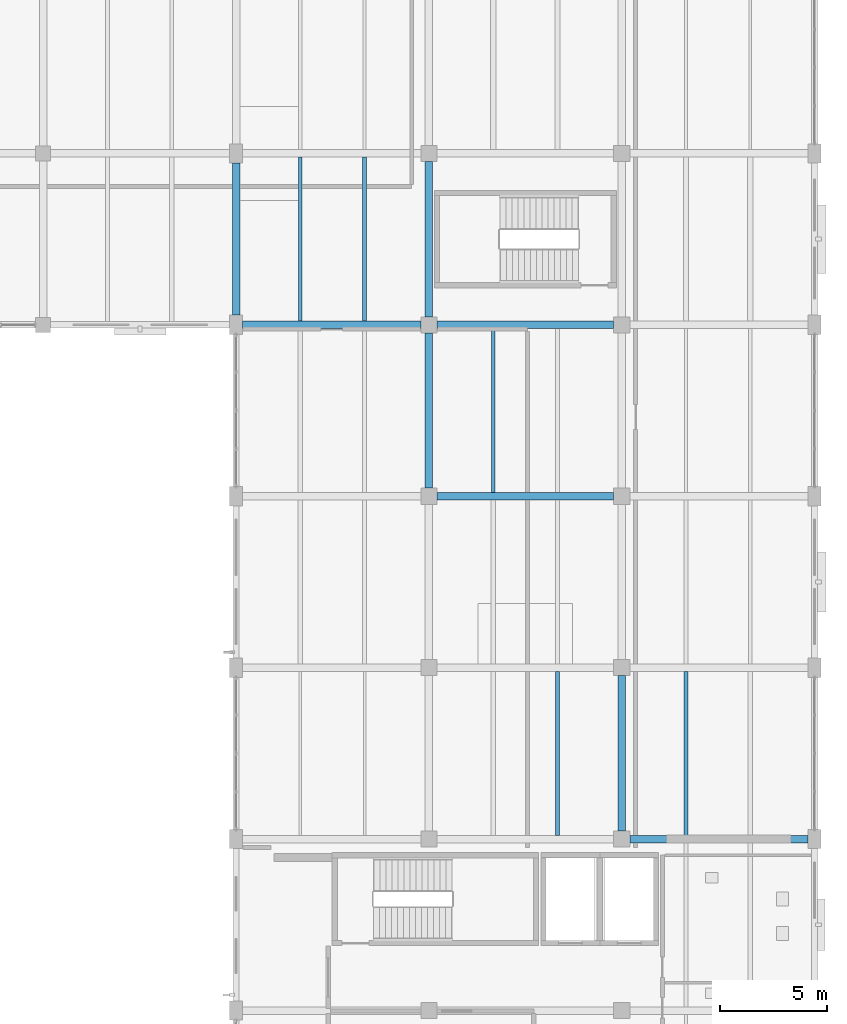
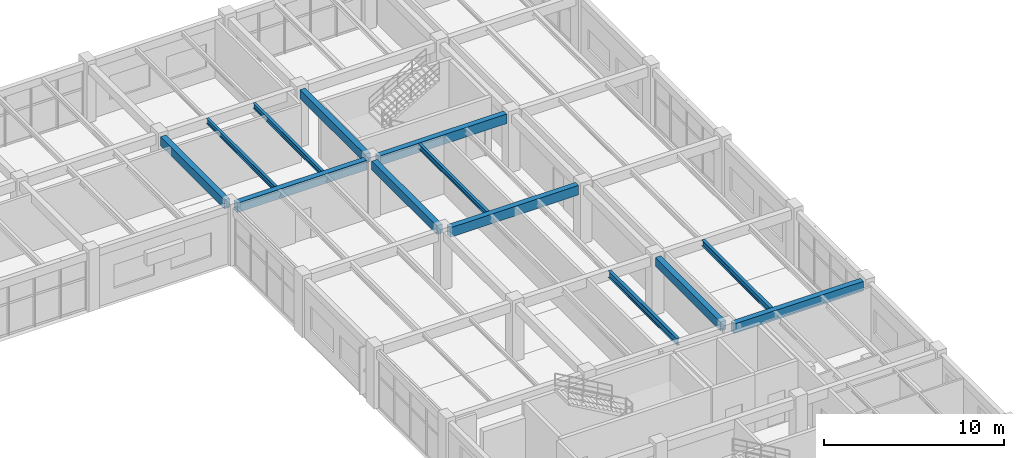
# One storey, part 88 of 128: 13 beams.
"""IFC4 building model written with IfcOpenShell, lengths in metres."""

import ifcopenshell
import ifcopenshell.guid

model = None  # the IFC model being written
_history = None  # IfcOwnerHistory: only IFC2X3 demands one
_inside = {}  # id of a spatial element -> (the spatial element, [elements in it])
_under = {}  # id of a project, library or spatial element -> (it, [spatial elements below it])
_declared = {}  # id of a project -> (the project, [libraries it declares])
_typed = {}  # id of a type object -> (the type object, [elements of that type])
_made_of = {}  # id of a material, layer set ... -> (it, [elements and type objects made of it])


def new_model(schema):
    """Start an empty IFC model of exactly this schema.

    Asked for "IFC4X3", IfcOpenShell would pick the latest addendum, in which some entities
    have other attributes; the version numbers below select the first issue.
    IFC2X3 requires an IfcOwnerHistory on every rooted entity: one is made here for all.
    """
    global model, _history
    if schema == "IFC4X3":
        model = ifcopenshell.file(schema_version=(4, 3, 0, 0))
    else:
        model = ifcopenshell.file(schema=schema)
    _inside.clear()
    _under.clear()
    _declared.clear()
    _typed.clear()
    _made_of.clear()
    _history = None
    if model.schema == "IFC2X3":
        org = make("IfcOrganization", Name="unknown")
        user = make(
            "IfcPersonAndOrganization",
            ThePerson=make("IfcPerson", FamilyName="unknown"),
            TheOrganization=org,
        )
        app = make(
            "IfcApplication",
            ApplicationDeveloper=org,
            Version="unknown",
            ApplicationFullName="unknown",
            ApplicationIdentifier="unknown",
        )
        _history = make(
            "IfcOwnerHistory",
            OwningUser=user,
            OwningApplication=app,
            ChangeAction="ADDED",
            CreationDate=0,
        )
    return model


def make(cls, **values):
    """One entity of the class cls with the attributes given. An attribute that is None is left unset."""
    return model.create_entity(
        cls, **{name: value for name, value in values.items() if value is not None}
    )


def rooted(cls, **values):
    """An entity with a GlobalId (a new one), such as an element, a storey or a relation."""
    return make(cls, GlobalId=ifcopenshell.guid.new(), OwnerHistory=_history, **values)


def si_unit(unit_type, name, prefix=None):
    """IfcSIUnit, for example si_unit("LENGTHUNIT", "METRE", prefix="MILLI")."""
    return make("IfcSIUnit", UnitType=unit_type, Prefix=prefix, Name=name)


def derived_unit(unit_type, elements):
    """IfcDerivedUnit: a product of units, each with its exponent."""
    return make(
        "IfcDerivedUnit",
        Elements=[
            make("IfcDerivedUnitElement", Unit=unit, Exponent=power)
            for unit, power in elements
        ],
        UnitType=unit_type,
    )


def assignment(units):
    """IfcUnitAssignment: the units of a project."""
    return None if units is None else make("IfcUnitAssignment", Units=units)


def point(xyz):
    """IfcCartesianPoint."""
    return None if xyz is None else make("IfcCartesianPoint", Coordinates=xyz)


def direction(xyz):
    """IfcDirection."""
    return None if xyz is None else make("IfcDirection", DirectionRatios=xyz)


def frame(location, z_axis=None, x_axis=None):
    """IfcAxis2Placement3D, a coordinate frame: its origin and axes. An axis left out is left unset."""
    return make(
        "IfcAxis2Placement3D",
        Location=point(location),
        Axis=direction(z_axis),
        RefDirection=direction(x_axis),
    )


def frame_2d(location, x_axis=None):
    """IfcAxis2Placement2D, a coordinate frame in the plane: its origin and x axis."""
    return make(
        "IfcAxis2Placement2D", Location=point(location), RefDirection=direction(x_axis)
    )


def origin():
    """The frame at (0, 0, 0) with its axes left unset."""
    return frame((0.0, 0.0, 0.0))


def origin_2d():
    """The frame at (0, 0) in the plane with its x axis left unset."""
    return frame_2d((0.0, 0.0))


def place(relative_to, where):
    """IfcLocalPlacement: puts the frame where relative to a parent placement (None: the world)."""
    return make(
        "IfcLocalPlacement", PlacementRelTo=relative_to, RelativePlacement=where
    )


def context(
    kind, dimensions, precision=None, world=None, true_north=None, identifier=None
):
    """IfcGeometricRepresentationContext, for example the 3D "Model" context."""
    return make(
        "IfcGeometricRepresentationContext",
        ContextIdentifier=identifier,
        ContextType=kind,
        CoordinateSpaceDimension=dimensions,
        Precision=precision,
        WorldCoordinateSystem=world,
        TrueNorth=true_north,
    )


def subcontext(parent, identifier, kind, view, scale=None):
    """IfcGeometricRepresentationSubContext, for example "Body" below "Model"."""
    return make(
        "IfcGeometricRepresentationSubContext",
        ContextIdentifier=identifier,
        ContextType=kind,
        ParentContext=parent,
        TargetScale=scale,
        TargetView=view,
    )


def project(units=None, contexts=None):
    """IfcProject with its units and contexts."""
    return rooted(
        "IfcProject",
        Name="project",
        RepresentationContexts=contexts,
        UnitsInContext=assignment(units),
    )


def spatial(cls, under=None, at=None, **own):
    """A site, building, storey or space (cls), placed at a placement, below another one or the project."""
    s = rooted(cls, ObjectPlacement=at, **own)
    if under is not None:
        _under.setdefault(under.id(), (under, []))[1].append(s)
    return s


def profile(cls, at=None, kind="AREA", **sizes):
    """A parametric profile (cls). Its sizes go by their IFC names, for example OverallWidth=200.0."""
    return make(cls, ProfileType=kind, Position=at, **sizes)


def rectangle(**sizes):
    """IfcRectangleProfileDef."""
    return profile("IfcRectangleProfileDef", **sizes)


def i_section(**sizes):
    """IfcIShapeProfileDef."""
    return profile("IfcIShapeProfileDef", **sizes)


def extrude(swept, where, along, depth):
    """IfcExtrudedAreaSolid: the profile swept, set in the frame where, extruded along a direction by depth."""
    return make(
        "IfcExtrudedAreaSolid",
        SweptArea=swept,
        Position=where,
        ExtrudedDirection=direction(along),
        Depth=depth,
    )


def shape(context_of_items, identifier, shape_type, items):
    """IfcShapeRepresentation: the items that make up one representation, for example the "Body"."""
    return make(
        "IfcShapeRepresentation",
        ContextOfItems=context_of_items,
        RepresentationIdentifier=identifier,
        RepresentationType=shape_type,
        Items=items,
    )


def material(Name=None, Category=None):
    """IfcMaterial."""
    return make("IfcMaterial", Name=Name, Category=Category)


def material_profile(
    of_material, cross_section, Name=None, Category=None, Priority=None
):
    """IfcMaterialProfile: a cross section and its material."""
    return make(
        "IfcMaterialProfile",
        Name=Name,
        Material=of_material,
        Profile=cross_section,
        Priority=Priority,
        Category=Category,
    )


def profile_set(profiles, Name=None, composite=None):
    """IfcMaterialProfileSet."""
    return make(
        "IfcMaterialProfileSet",
        Name=Name,
        MaterialProfiles=profiles,
        CompositeProfile=composite,
    )


def made_of(thing, what):
    """Note that an element or type object is made of a material, layer set ...; save() writes the relation."""
    if what is not None:
        _made_of.setdefault(what.id(), (what, []))[1].append(thing)
    return thing


def type_object(cls, material=None, **own):
    """A type object (cls), such as IfcWallType, which elements share."""
    return made_of(rooted(cls, **own), material)


def element(
    cls,
    number,
    at=None,
    inside=None,
    cuts=None,
    type_object=None,
    material=None,
    context=None,
    identifier="Body",
    shape_type=None,
    held_by="IfcProductDefinitionShape",
    body=None,
    shapes=None,
    **own,
):
    """One element of the class cls, such as IfcWall. Its Tag is "e" and its number.

    at: its placement. inside: the storey or other place that contains it. cuts: it is an
    opening in that element (IfcRelVoidsElement). A single representation is given by context,
    identifier, shape_type and body (its items); several are given by shapes. held_by: the class
    of the entity that holds the representations. save() writes the other relations.
    """
    e = rooted(cls, Tag="e%d" % number, ObjectPlacement=at, **own)
    if body is not None:
        shapes = [shape(context, identifier, shape_type, body)]
    if shapes is not None:
        e.Representation = make(held_by, Representations=shapes)
    if inside is not None:
        _inside.setdefault(inside.id(), (inside, []))[1].append(e)
    if cuts is not None:
        rooted(
            "IfcRelVoidsElement", RelatingBuildingElement=cuts, RelatedOpeningElement=e
        )
    if type_object is not None:
        _typed.setdefault(type_object.id(), (type_object, []))[1].append(e)
    return made_of(e, material)


def aggregate(whole, parts):
    """IfcRelAggregates: a whole, such as a stair, and the parts it consists of."""
    return rooted("IfcRelAggregates", RelatingObject=whole, RelatedObjects=parts)


def save(model, path):
    """Write the relations noted so far, then the file.

    IfcRelAggregates (storeys below a building ...), IfcRelContainedInSpatialStructure (elements
    in a storey), IfcRelDefinesByType, IfcRelAssociatesMaterial and IfcRelDeclares: one each for
    every whole, place, type object, material and project.
    """
    for whole, parts in _under.values():
        aggregate(whole, parts)
    for where, things in _inside.values():
        rooted(
            "IfcRelContainedInSpatialStructure",
            RelatedElements=things,
            RelatingStructure=where,
        )
    for kind, things in _typed.values():
        rooted("IfcRelDefinesByType", RelatedObjects=things, RelatingType=kind)
    for what, things in _made_of.values():
        rooted("IfcRelAssociatesMaterial", RelatedObjects=things, RelatingMaterial=what)
    for by, libraries in _declared.values():
        rooted("IfcRelDeclares", RelatingContext=by, RelatedDefinitions=libraries)
    model.write(path)


model = new_model("IFC4")

# Units and contexts
model_context = context("Model", 3, precision=1e-05, world=origin(), true_north=direction((0.0, 1.0)))
body_context = subcontext(model_context, "Body", "Model", "MODEL_VIEW")
ifc_project = project(units=[si_unit("LENGTHUNIT", "METRE"), si_unit("AREAUNIT", "SQUARE_METRE"), si_unit("VOLUMEUNIT", "CUBIC_METRE"), si_unit("PLANEANGLEUNIT", "RADIAN"), si_unit("MASSUNIT", "GRAM", prefix="KILO"), derived_unit("THERMALTRANSMITTANCEUNIT", [(si_unit("MASSUNIT", "GRAM", prefix="KILO"), 1), (si_unit("TIMEUNIT", "SECOND"), -3), (si_unit("THERMODYNAMICTEMPERATUREUNIT", "KELVIN"), -1)])], contexts=[model_context])

# Site, building, storey
site_placement = place(None, origin())
site = spatial("IfcSite", under=ifc_project, at=site_placement, CompositionType="ELEMENT")
building_placement = place(site_placement, origin())
building = spatial("IfcBuilding", under=site, at=building_placement, Name="Zhenchuan Archway Interchange", CompositionType="ELEMENT")
storey_placement = place(building_placement, frame((0.0, 0.0, 14.39990234375)))
storey = spatial("IfcBuildingStorey", under=building, at=storey_placement, Name="L03", CompositionType="ELEMENT", Elevation=14.39990234375)

# Beams
ifc_material_1 = material(Name="Concrete C40", Category="concrete")
ifc_material_profile_1 = material_profile(ifc_material_1, rectangle(XDim=0.35009765625, YDim=0.60009765625, at=origin_2d()), Name="RC 350x600")
ifc_profile_set_1 = profile_set([ifc_material_profile_1], Name="Concrete C40")
beam_type_1 = type_object("IfcBeamType", Name="BM_RC_350x600", PredefinedType="BEAM", material=ifc_profile_set_1)
beam_1_placement = place(storey_placement, frame((144.0, 88.449951171875, 3.630126953125), z_axis=(0.0, 1.0, 0.0), x_axis=(-1.0, 0.0, 0.0)))
element("IfcBeam", 1, at=beam_1_placement, inside=storey, type_object=beam_type_1, Name="Beam 17:M-N (L03)", PredefinedType="BEAM", context=body_context, shape_type="SweptSolid", body=[
    extrude(rectangle(XDim=0.35009765625, YDim=0.60009765625, at=origin_2d()), origin(), (0.0, 0.0, 1.0), 7.10009765625),
])
for number, where, z_axis, x_axis, name in (
    (2, (153.0, 80.375, 3.630126953125), (0.0, 1.0, 0.0), (-1.0, 0.0, 0.0), "Beam 18:L-M (L03)"),
    (3, (153.0, 88.375, 3.630126953125), (0.0, 1.0, 0.0), (-1.0, 0.0, 0.0), "Beam 18:M-N (L03)"),
    (4, (162.0, 64.375, 3.630126953125), (0.0, 1.0, 0.0), (-1.0, 0.0, 0.0), "Beam 19:J-K (L03)"),
):
    element("IfcBeam", number, at=place(storey_placement, frame(where, z_axis=z_axis, x_axis=x_axis)), inside=storey, type_object=beam_type_1, Name=name, PredefinedType="BEAM", context=body_context, shape_type="SweptSolid", body=[
        extrude(rectangle(XDim=0.35009765625, YDim=0.60009765625, at=origin_2d()), origin(), (0.0, 0.0, 1.0), 7.25),
    ])
ifc_material_profile_2 = material_profile(ifc_material_1, rectangle(XDim=0.35009765625, YDim=0.64990234375, at=origin_2d()), Name="RC 350x650")
ifc_profile_set_2 = profile_set([ifc_material_profile_2], Name="Concrete C40")
beam_type_2 = type_object("IfcBeamType", Name="BM_RC_350x650", PredefinedType="BEAM", material=ifc_profile_set_2)
beam_2_placement = place(storey_placement, frame((162.375, 64.0, 3.60498046875), z_axis=(1.0, 0.0, 0.0), x_axis=(0.0, 1.0, 0.0)))
element("IfcBeam", 5, at=beam_2_placement, inside=storey, type_object=beam_type_2, Name="Beam J:19-20 (L03)", PredefinedType="BEAM", context=body_context, shape_type="SweptSolid", body=[
    extrude(rectangle(XDim=0.35009765625, YDim=0.64990234375, at=origin_2d()), origin(), (0.0, 0.0, 1.0), 8.324951171875),
])
beam_3_placement = place(storey_placement, frame((153.375, 80.0, 3.60498046875), z_axis=(1.0, 0.0, 0.0), x_axis=(0.0, 1.0, 0.0)))
element("IfcBeam", 6, at=beam_3_placement, inside=storey, type_object=beam_type_2, Name="Beam L:18-19 (L03)", PredefinedType="BEAM", context=body_context, shape_type="SweptSolid", body=[
    extrude(rectangle(XDim=0.35009765625, YDim=0.64990234375, at=origin_2d()), origin(), (0.0, 0.0, 1.0), 8.25),
])
beam_4_placement = place(storey_placement, frame((144.300048828125, 88.0, 3.60498046875), z_axis=(1.0, 0.0, 0.0), x_axis=(0.0, 1.0, 0.0)))
element("IfcBeam", 7, at=beam_4_placement, inside=storey, type_object=beam_type_2, Name="Beam M:17-18 (L03)", PredefinedType="BEAM", context=body_context, shape_type="SweptSolid", body=[
    extrude(rectangle(XDim=0.35009765625, YDim=0.64990234375, at=origin_2d()), origin(), (0.0, 0.0, 1.0), 8.324951171875),
])
beam_5_placement = place(storey_placement, frame((153.375, 88.0, 3.60498046875), z_axis=(1.0, 0.0, 0.0), x_axis=(0.0, 1.0, 0.0)))
element("IfcBeam", 8, at=beam_5_placement, inside=storey, type_object=beam_type_2, Name="Beam M:18-19 (L03)", PredefinedType="BEAM", context=body_context, shape_type="SweptSolid", body=[
    extrude(rectangle(XDim=0.35009765625, YDim=0.64990234375, at=origin_2d()), origin(), (0.0, 0.0, 1.0), 8.25),
])
ifc_material_2 = material(Name="Steel Q355", Category="steel")
ifc_material_profile_3 = material_profile(ifc_material_2, i_section(OverallWidth=0.175048828125, OverallDepth=0.35009765625, WebThickness=0.007080078125, FlangeThickness=0.010986328125, FilletRadius=0.013916015625, at=origin_2d()), Name="HN 350x175")
ifc_profile_set_3 = profile_set([ifc_material_profile_3], Name="Steel Q355")
beam_type_3 = type_object("IfcBeamType", Name="JST_STL_HN350", PredefinedType="JOIST", material=ifc_profile_set_3)
for number, where, z_axis, x_axis, name in (
    (9, (147.0, 88.175048828125, 3.755126953125), (0.0, 1.0, 0.0), (-1.0, 0.0, 0.0), "Secondary joist 17-18/M-N #1 (L03)"),
    (10, (150.0, 88.175048828125, 3.755126953125), (0.0, 1.0, 0.0), (-1.0, 0.0, 0.0), "Secondary joist 17-18/M-N #2 (L03)"),
    (11, (156.0, 80.175048828125, 3.755126953125), (0.0, 1.0, 0.0), (-1.0, 0.0, 0.0), "Secondary joist 18-19/L-M #1 (L03)"),
):
    element("IfcBeam", number, at=place(storey_placement, frame(where, z_axis=z_axis, x_axis=x_axis)), inside=storey, type_object=beam_type_3, Name=name, PredefinedType="JOIST", context=body_context, shape_type="SweptSolid", body=[
        extrude(i_section(OverallWidth=0.175048828125, OverallDepth=0.35009765625, WebThickness=0.007080078125, FlangeThickness=0.010986328125, FilletRadius=0.013916015625, at=origin_2d()), origin(), (0.0, 0.0, 1.0), 7.64990234375),
    ])
ifc_material_profile_4 = material_profile(ifc_material_2, i_section(OverallWidth=0.199951171875, OverallDepth=0.39990234375, WebThickness=0.008056640625, FlangeThickness=0.012939453125, FilletRadius=0.01611328125, at=origin_2d()), Name="HN 400x200")
ifc_profile_set_4 = profile_set([ifc_material_profile_4], Name="Steel Q355")
beam_type_4 = type_object("IfcBeamType", Name="JST_STL_HN400", PredefinedType="JOIST", material=ifc_profile_set_4)
beam_6_placement = place(storey_placement, frame((165.0, 64.175048828125, 3.72998046875), z_axis=(0.0, 1.0, 0.0), x_axis=(-1.0, 0.0, 0.0)))
element("IfcBeam", 12, at=beam_6_placement, inside=storey, type_object=beam_type_4, Name="Secondary joist 19-20/J-K #1 (L03)", PredefinedType="JOIST", context=body_context, shape_type="SweptSolid", body=[
    extrude(i_section(OverallWidth=0.199951171875, OverallDepth=0.39990234375, WebThickness=0.008056640625, FlangeThickness=0.012939453125, FilletRadius=0.01611328125, at=origin_2d()), origin(), (0.0, 0.0, 1.0), 7.64990234375),
])
ifc_material_profile_5 = material_profile(ifc_material_2, i_section(OverallWidth=0.199951171875, OverallDepth=0.449951171875, WebThickness=0.009033203125, FlangeThickness=0.013916015625, FilletRadius=0.01806640625, at=origin_2d()), Name="HN 450x200")
ifc_profile_set_5 = profile_set([ifc_material_profile_5], Name="Steel Q355")
beam_type_5 = type_object("IfcBeamType", Name="JST_STL_HN450", PredefinedType="JOIST", material=ifc_profile_set_5)
beam_7_placement = place(storey_placement, frame((159.0, 64.175048828125, 3.705078125), z_axis=(0.0, 1.0, 0.0), x_axis=(-1.0, 0.0, 0.0)))
element("IfcBeam", 13, at=beam_7_placement, inside=storey, type_object=beam_type_5, Name="Secondary joist 18-19/J-K #2 (L03)", PredefinedType="JOIST", context=body_context, shape_type="SweptSolid", body=[
    extrude(i_section(OverallWidth=0.199951171875, OverallDepth=0.449951171875, WebThickness=0.009033203125, FlangeThickness=0.013916015625, FilletRadius=0.01806640625, at=origin_2d()), origin(), (0.0, 0.0, 1.0), 7.64990234375),
])

save(model, "model.ifc")
